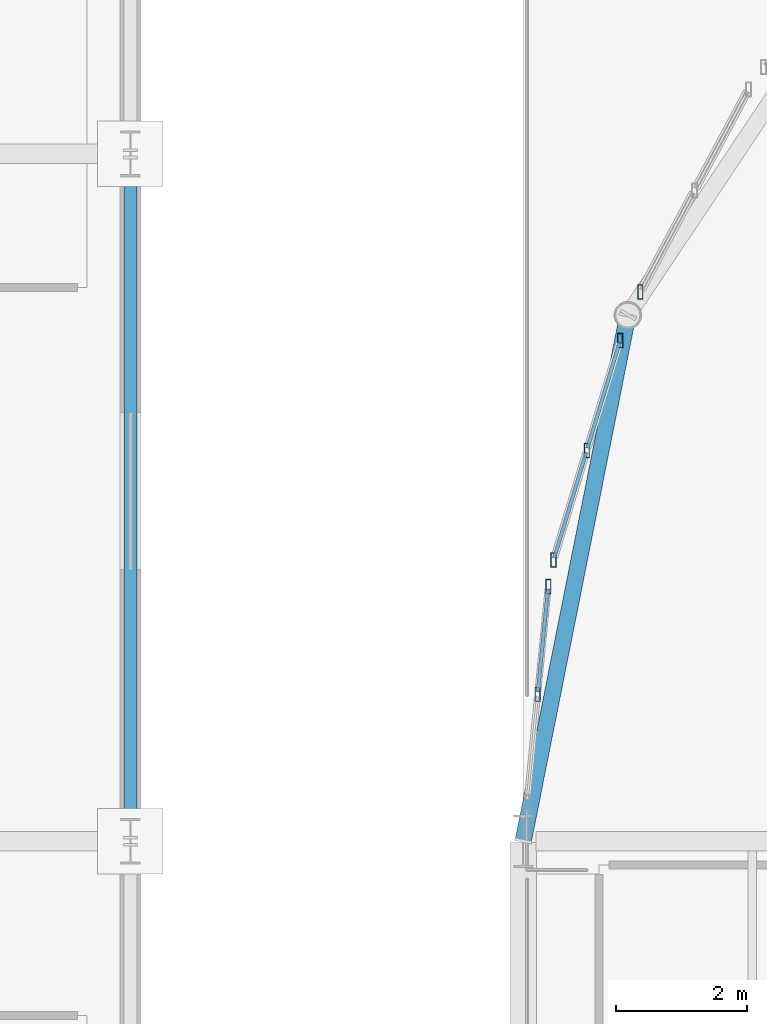
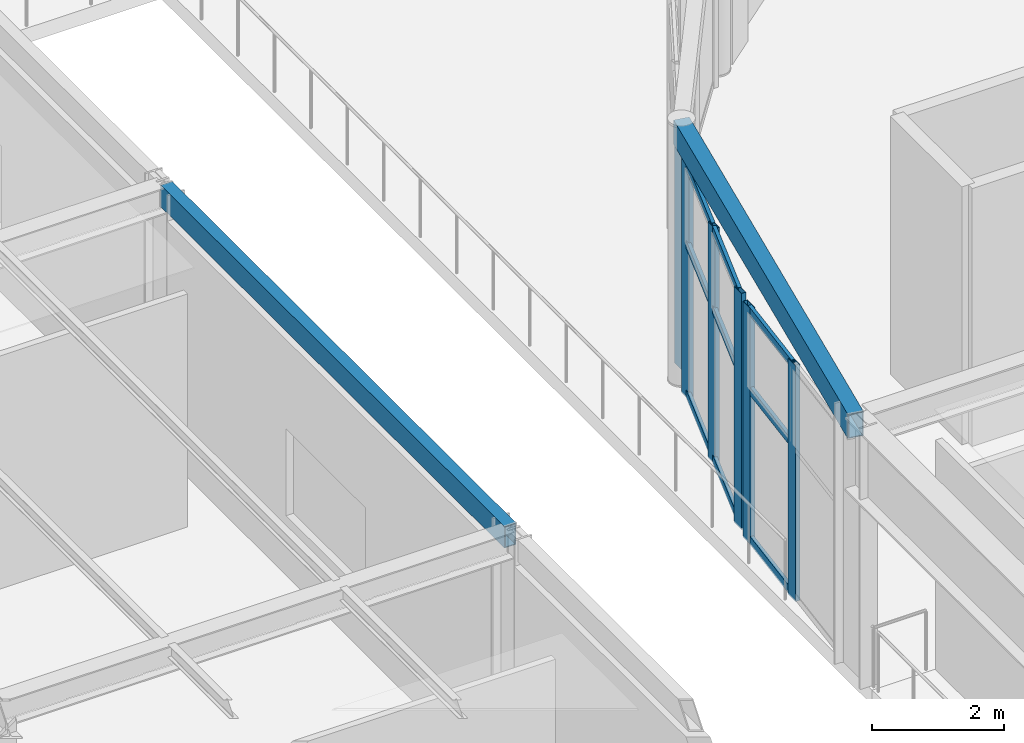
# One storey, part 43 of 143: 15 members, 2 beams, 3 elements without a shape of their own.
"""IFC4 building model written with IfcOpenShell, lengths in metres."""

from ifc_helpers import new_model, si_unit, direction, frame, origin, origin_2d, place, context, subcontext, project, spatial, hollow_rectangle, extrude, material, layer, layer_set, material_profile, profile_set, type_object, element, aggregate, save


model = new_model("IFC4")

# Units and contexts
model_context = context("Model", 3, precision=1e-05, world=origin(), true_north=direction((0.0, 1.0)))
body_context = subcontext(model_context, "Body", "Model", "MODEL_VIEW")
ifc_project = project(units=[si_unit("LENGTHUNIT", "METRE"), si_unit("AREAUNIT", "SQUARE_METRE"), si_unit("VOLUMEUNIT", "CUBIC_METRE"), si_unit("PLANEANGLEUNIT", "RADIAN"), si_unit("MASSUNIT", "GRAM", prefix="KILO")], contexts=[model_context])

# Site, building, storey
site_placement = place(None, origin())
site = spatial("IfcSite", under=ifc_project, at=site_placement, CompositionType="ELEMENT")
building_placement = place(site_placement, origin())
building = spatial("IfcBuilding", under=site, at=building_placement, Name="Marlcrest Central Station", CompositionType="ELEMENT")
storey_placement = place(building_placement, frame((0.0, 0.0, 4.800048828125)))
storey = spatial("IfcBuildingStorey", under=building, at=storey_placement, Name="L01", CompositionType="ELEMENT", Elevation=4.800048828125)

# Curtain wall, members
ifc_material_1 = material(Name="Anodised aluminium and hurricane laminated glass", Category="aluminium")
ifc_layer = layer(ifc_material_1, 0.219970703125, Name="CW-U1")
ifc_layer_set = layer_set([ifc_layer], Name="Anodised aluminium and hurricane laminated glass")
curtain_wall_type = type_object("IfcCurtainWallType", Name="CW-U1", PredefinedType="USERDEFINED", material=ifc_layer_set)
curtain_wall_1_placement = place(storey_placement, origin())
curtain_wall_1 = element("IfcCurtainWall", 1, at=curtain_wall_1_placement, inside=storey, type_object=curtain_wall_type, Name="cw-L01-0057", ObjectType="UNITISED_CURTAIN_WALL", PredefinedType="USERDEFINED")
ifc_material_2 = material(Name="Anodised aluminium 6063-T6", Category="aluminium")
ifc_material_profile_1 = material_profile(ifc_material_2, hollow_rectangle(XDim=0.080078125, YDim=0.219970703125, WallThickness=0.006103515625, at=origin_2d()), Name="AA-RHS 220x80x6")
ifc_profile_set_1 = profile_set([ifc_material_profile_1], Name="Anodised aluminium 6063-T6")
member_type_1 = type_object("IfcMemberType", Name="ML-01", PredefinedType="MULLION", material=ifc_profile_set_1)
member_1_placement = place(storey_placement, frame((87.221435546875, 112.7451171875, -0.030029296875), z_axis=(0.0, 0.0, 1.0), x_axis=(1.0, 0.0, 0.0)))
member_1 = element("IfcMember", 2, at=member_1_placement, type_object=member_type_1, Name="cw-L01-0057-ml-1", PredefinedType="MULLION", context=body_context, shape_type="SweptSolid", body=[
    extrude(hollow_rectangle(XDim=0.080078125, YDim=0.219970703125, WallThickness=0.006103515625, at=origin_2d()), origin(), (0.0, 0.0, 1.0), 4.35986328125),
])
member_2_placement = place(storey_placement, frame((87.3837890625, 114.39208984375, -0.030029296875), z_axis=(0.0, 0.0, 1.0), x_axis=(1.0, 0.0, 0.0)))
member_2 = element("IfcMember", 3, at=member_2_placement, type_object=member_type_1, Name="cw-L01-0057-ml-2", PredefinedType="MULLION", context=body_context, shape_type="SweptSolid", body=[
    extrude(hollow_rectangle(XDim=0.080078125, YDim=0.219970703125, WallThickness=0.006103515625, at=origin_2d()), origin(), (0.0, 0.0, 1.0), 4.35986328125),
])

curtain_wall_2_placement = place(storey_placement, origin())
curtain_wall_2 = element("IfcCurtainWall", 4, at=curtain_wall_2_placement, inside=storey, type_object=curtain_wall_type, Name="cw-L01-0058", ObjectType="UNITISED_CURTAIN_WALL", PredefinedType="USERDEFINED")
member_3_placement = place(storey_placement, frame((87.463623046875, 114.7939453125, -0.030029296875), z_axis=(0.0, 0.0, 1.0), x_axis=(1.0, 0.0, 0.0)))
member_3 = element("IfcMember", 5, at=member_3_placement, type_object=member_type_1, Name="cw-L01-0058-ml-0", PredefinedType="MULLION", context=body_context, shape_type="SweptSolid", body=[
    extrude(hollow_rectangle(XDim=0.080078125, YDim=0.219970703125, WallThickness=0.006103515625, at=origin_2d()), origin(), (0.0, 0.0, 1.0), 4.35986328125),
])
member_4_placement = place(storey_placement, frame((87.97265625, 116.4716796875, -0.030029296875), z_axis=(0.0, 0.0, 1.0), x_axis=(1.0, 0.0, 0.0)))
member_4 = element("IfcMember", 6, at=member_4_placement, type_object=member_type_1, Name="cw-L01-0058-ml-1", PredefinedType="MULLION", context=body_context, shape_type="SweptSolid", body=[
    extrude(hollow_rectangle(XDim=0.080078125, YDim=0.219970703125, WallThickness=0.006103515625, at=origin_2d()), origin(), (0.0, 0.0, 1.0), 4.35986328125),
])
member_5_placement = place(storey_placement, frame((88.481689453125, 118.1494140625, -0.030029296875), z_axis=(0.0, 0.0, 1.0), x_axis=(1.0, 0.0, 0.0)))
member_5 = element("IfcMember", 7, at=member_5_placement, type_object=member_type_1, Name="cw-L01-0058-ml-2", PredefinedType="MULLION", context=body_context, shape_type="SweptSolid", body=[
    extrude(hollow_rectangle(XDim=0.080078125, YDim=0.219970703125, WallThickness=0.006103515625, at=origin_2d()), origin(), (0.0, 0.0, 1.0), 4.35986328125),
])

# Curtain wall, member
curtain_wall_3_placement = place(storey_placement, origin())
curtain_wall_3 = element("IfcCurtainWall", 8, at=curtain_wall_3_placement, inside=storey, type_object=curtain_wall_type, Name="cw-L01-0059", ObjectType="UNITISED_CURTAIN_WALL", PredefinedType="USERDEFINED")
member_6_placement = place(storey_placement, frame((88.789306640625, 118.892333984375, -0.030029296875), z_axis=(0.0, 0.0, 1.0), x_axis=(1.0, 0.0, 0.0)))
member_6 = element("IfcMember", 9, at=member_6_placement, type_object=member_type_1, Name="cw-L01-0059-ml-0", PredefinedType="MULLION", context=body_context, shape_type="SweptSolid", body=[
    extrude(hollow_rectangle(XDim=0.080078125, YDim=0.219970703125, WallThickness=0.006103515625, at=origin_2d()), origin(), (0.0, 0.0, 1.0), 4.35986328125),
])
aggregate(curtain_wall_3, [member_6])

# Beams
ifc_material_3 = material(Name="Steel S355", Category="steel")
ifc_material_profile_2 = material_profile(ifc_material_3, hollow_rectangle(XDim=0.199951171875, YDim=0.39990234375, WallThickness=0.01611328125, at=origin_2d()), Name="RHS 400x200x16")
ifc_profile_set_2 = profile_set([ifc_material_profile_2], Name="Steel S355")
beam_type_1 = type_object("IfcBeamType", Name="SP-01", PredefinedType="SPANDREL", material=ifc_profile_set_2)
beam_1_placement = place(storey_placement, frame((81.0, 110.550048828125, 4.619873046875), z_axis=(0.0, 1.0, 0.0), x_axis=(-1.0, 0.0, 0.0)))
element("IfcBeam", 10, at=beam_1_placement, inside=storey, type_object=beam_type_1, Name="bm-SP-01-L01-00292", PredefinedType="SPANDREL", context=body_context, shape_type="SweptSolid", body=[
    extrude(hollow_rectangle(XDim=0.199951171875, YDim=0.39990234375, WallThickness=0.01611328125, at=origin_2d()), origin(), (0.0, 0.0, 1.0), 10.39990234375),
])
ifc_material_profile_3 = material_profile(ifc_material_3, hollow_rectangle(XDim=0.25, YDim=0.449951171875, WallThickness=0.01611328125, at=origin_2d()), Name="RHS 450x250x16")
ifc_profile_set_3 = profile_set([ifc_material_profile_3], Name="Steel S355")
beam_type_2 = type_object("IfcBeamType", Name="SP-02", PredefinedType="SPANDREL", material=ifc_profile_set_3)
beam_2_placement = place(storey_placement, frame((87.0, 110.5, 4.58984375), z_axis=(0.19517056122, 0.980769316421, 0.0), x_axis=(-0.980769316421, 0.19517056122, 0.0)))
element("IfcBeam", 11, at=beam_2_placement, inside=storey, type_object=beam_type_2, Name="bm-SP-02-L01-01458", PredefinedType="SPANDREL", context=body_context, shape_type="SweptSolid", body=[
    extrude(hollow_rectangle(XDim=0.25, YDim=0.449951171875, WallThickness=0.01611328125, at=origin_2d()), origin(), (0.0, 0.0, 1.0), 8.193359375),
])

# Member
ifc_material_profile_4 = material_profile(ifc_material_2, hollow_rectangle(XDim=0.06005859375, YDim=0.14990234375, WallThickness=0.00390625, at=origin_2d()), Name="AA-RHS 150x60x4")
ifc_profile_set_4 = profile_set([ifc_material_profile_4], Name="Anodised aluminium 6063-T6")
member_type_2 = type_object("IfcMemberType", Name="TR-01", PredefinedType="USERDEFINED", material=ifc_profile_set_4)
member_7_placement = place(storey_placement, frame((87.22509765625, 112.782958984375, 0.0400390625), z_axis=(0.098187021046, 0.995167980242, 0.0), x_axis=(-0.995167980242, 0.098187021046, 0.0)))
member_7 = element("IfcMember", 12, at=member_7_placement, type_object=member_type_2, Name="cw-L01-0057-tr-1-sill", ObjectType="TRANSOM", PredefinedType="USERDEFINED", context=body_context, shape_type="SweptSolid", body=[
    extrude(hollow_rectangle(XDim=0.06005859375, YDim=0.14990234375, WallThickness=0.00390625, at=origin_2d()), origin(), (0.0, 0.0, 1.0), 1.578857421875),
])

member_8_placement = place(storey_placement, frame((87.22509765625, 112.782958984375, 2.794921875), z_axis=(0.098187021046, 0.995167980242, 0.0), x_axis=(-0.995167980242, 0.098187021046, 0.0)))
member_8 = element("IfcMember", 13, at=member_8_placement, type_object=member_type_2, Name="cw-L01-0057-tr-1-mid", ObjectType="TRANSOM", PredefinedType="USERDEFINED", context=body_context, shape_type="SweptSolid", body=[
    extrude(hollow_rectangle(XDim=0.06005859375, YDim=0.14990234375, WallThickness=0.00390625, at=origin_2d()), origin(), (0.0, 0.0, 1.0), 1.578857421875),
])

member_9_placement = place(storey_placement, frame((87.22509765625, 112.782958984375, 4.260009765625), z_axis=(0.098187021046, 0.995167980242, 0.0), x_axis=(-0.995167980242, 0.098187021046, 0.0)))
member_9 = element("IfcMember", 14, at=member_9_placement, type_object=member_type_2, Name="cw-L01-0057-tr-1-head", ObjectType="TRANSOM", PredefinedType="USERDEFINED", context=body_context, shape_type="SweptSolid", body=[
    extrude(hollow_rectangle(XDim=0.06005859375, YDim=0.14990234375, WallThickness=0.00390625, at=origin_2d()), origin(), (0.0, 0.0, 1.0), 1.578857421875),
])

aggregate(curtain_wall_1, [member_1, member_2, member_7, member_8, member_9])

member_10_placement = place(storey_placement, frame((87.474853515625, 114.830322265625, 0.0400390625), z_axis=(0.29025787087, 0.95694846695, 0.0), x_axis=(-0.95694846695, 0.29025787087, 0.0)))
member_10 = element("IfcMember", 15, at=member_10_placement, type_object=member_type_2, Name="cw-L01-0058-tr-0-sill", ObjectType="TRANSOM", PredefinedType="USERDEFINED", context=body_context, shape_type="SweptSolid", body=[
    extrude(hollow_rectangle(XDim=0.06005859375, YDim=0.14990234375, WallThickness=0.00390625, at=origin_2d()), origin(), (0.0, 0.0, 1.0), 1.67724609375),
])

member_11_placement = place(storey_placement, frame((87.474853515625, 114.830322265625, 2.794921875), z_axis=(0.29025787087, 0.95694846695, 0.0), x_axis=(-0.95694846695, 0.29025787087, 0.0)))
member_11 = element("IfcMember", 16, at=member_11_placement, type_object=member_type_2, Name="cw-L01-0058-tr-0-mid", ObjectType="TRANSOM", PredefinedType="USERDEFINED", context=body_context, shape_type="SweptSolid", body=[
    extrude(hollow_rectangle(XDim=0.06005859375, YDim=0.14990234375, WallThickness=0.00390625, at=origin_2d()), origin(), (0.0, 0.0, 1.0), 1.67724609375),
])

member_12_placement = place(storey_placement, frame((87.474853515625, 114.830322265625, 4.260009765625), z_axis=(0.29025787087, 0.95694846695, 0.0), x_axis=(-0.95694846695, 0.29025787087, 0.0)))
member_12 = element("IfcMember", 17, at=member_12_placement, type_object=member_type_2, Name="cw-L01-0058-tr-0-head", ObjectType="TRANSOM", PredefinedType="USERDEFINED", context=body_context, shape_type="SweptSolid", body=[
    extrude(hollow_rectangle(XDim=0.06005859375, YDim=0.14990234375, WallThickness=0.00390625, at=origin_2d()), origin(), (0.0, 0.0, 1.0), 1.67724609375),
])

member_13_placement = place(storey_placement, frame((87.98388671875, 116.508056640625, 0.0400390625), z_axis=(0.29025787087, 0.95694846695, 0.0), x_axis=(-0.95694846695, 0.29025787087, 0.0)))
member_13 = element("IfcMember", 18, at=member_13_placement, type_object=member_type_2, Name="cw-L01-0058-tr-1-sill", ObjectType="TRANSOM", PredefinedType="USERDEFINED", context=body_context, shape_type="SweptSolid", body=[
    extrude(hollow_rectangle(XDim=0.06005859375, YDim=0.14990234375, WallThickness=0.00390625, at=origin_2d()), origin(), (0.0, 0.0, 1.0), 1.67724609375),
])

member_14_placement = place(storey_placement, frame((87.98388671875, 116.508056640625, 2.794921875), z_axis=(0.29025787087, 0.95694846695, 0.0), x_axis=(-0.95694846695, 0.29025787087, 0.0)))
member_14 = element("IfcMember", 19, at=member_14_placement, type_object=member_type_2, Name="cw-L01-0058-tr-1-mid", ObjectType="TRANSOM", PredefinedType="USERDEFINED", context=body_context, shape_type="SweptSolid", body=[
    extrude(hollow_rectangle(XDim=0.06005859375, YDim=0.14990234375, WallThickness=0.00390625, at=origin_2d()), origin(), (0.0, 0.0, 1.0), 1.67724609375),
])

member_15_placement = place(storey_placement, frame((87.98388671875, 116.508056640625, 4.260009765625), z_axis=(0.29025787087, 0.95694846695, 0.0), x_axis=(-0.95694846695, 0.29025787087, 0.0)))
member_15 = element("IfcMember", 20, at=member_15_placement, type_object=member_type_2, Name="cw-L01-0058-tr-1-head", ObjectType="TRANSOM", PredefinedType="USERDEFINED", context=body_context, shape_type="SweptSolid", body=[
    extrude(hollow_rectangle(XDim=0.06005859375, YDim=0.14990234375, WallThickness=0.00390625, at=origin_2d()), origin(), (0.0, 0.0, 1.0), 1.67724609375),
])

aggregate(curtain_wall_2, [member_3, member_4, member_5, member_10, member_11, member_12, member_13, member_14, member_15])

save(model, "model.ifc")
